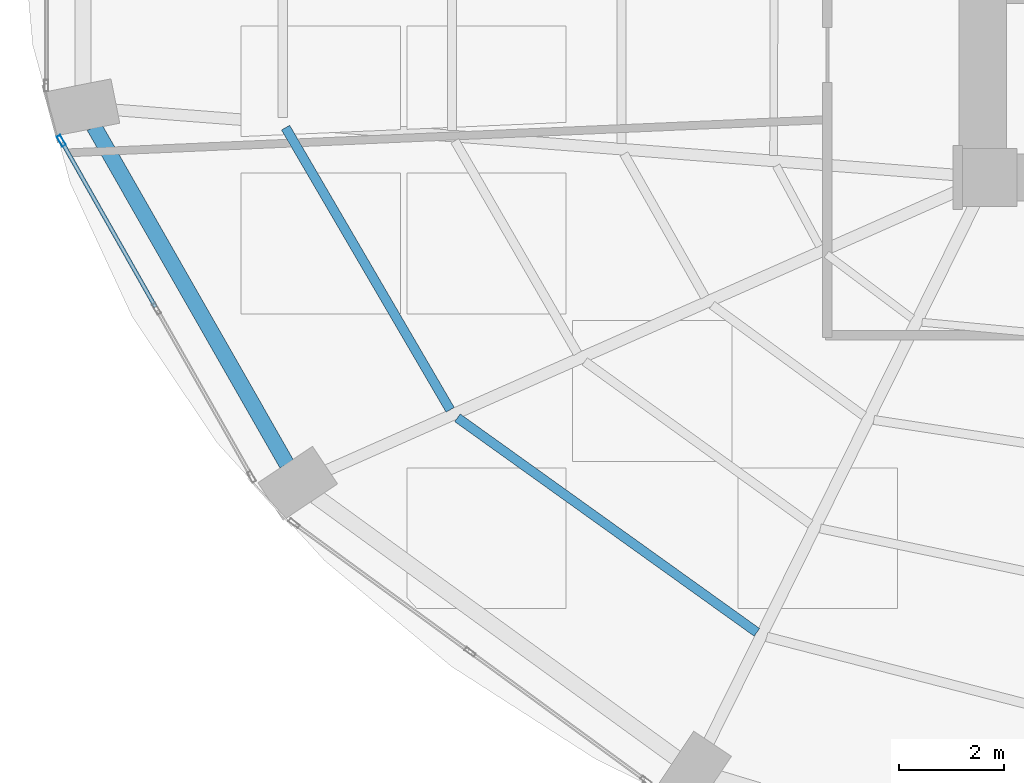
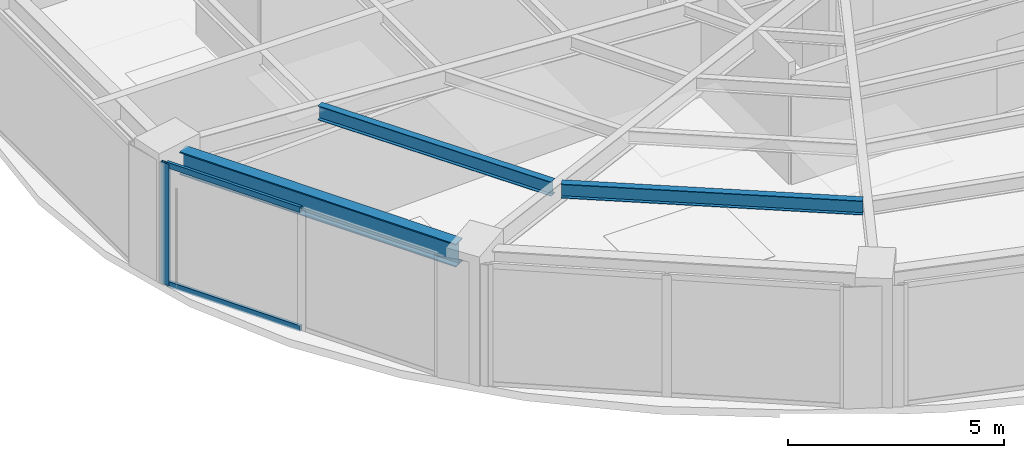
# One storey, part 3 of 25: 3 beams, 3 members, 1 element without a shape of its own.
"""IFC4 building model written with IfcOpenShell, lengths in metres."""

from ifc_helpers import new_model, si_unit, direction, frame, origin, origin_2d, place, context, subcontext, project, spatial, hollow_rectangle, i_section, extrude, material, layer, layer_set, material_profile, profile_set, type_object, element, aggregate, save


model = new_model("IFC4")

# Units and contexts
model_context = context("Model", 3, precision=1e-05, world=origin(), true_north=direction((0.0, 1.0)))
body_context = subcontext(model_context, "Body", "Model", "MODEL_VIEW")
ifc_project = project(units=[si_unit("LENGTHUNIT", "METRE"), si_unit("AREAUNIT", "SQUARE_METRE"), si_unit("VOLUMEUNIT", "CUBIC_METRE"), si_unit("PLANEANGLEUNIT", "RADIAN"), si_unit("MASSUNIT", "GRAM", prefix="KILO")], contexts=[model_context])

# Site, building, storey
site_placement = place(None, origin())
site = spatial("IfcSite", under=ifc_project, at=site_placement, CompositionType="ELEMENT")
building_placement = place(site_placement, origin())
building = spatial("IfcBuilding", under=site, at=building_placement, Name="Lazwardi Medical Tower", CompositionType="ELEMENT")
storey_placement = place(building_placement, frame((0.0, 0.0, 43.43994140625)))
storey = spatial("IfcBuildingStorey", under=building, at=storey_placement, Name="L10", CompositionType="ELEMENT", Elevation=43.43994140625)

# Beams
ifc_material_1 = material(Name="Steel S355", Category="steel")
ifc_material_profile_1 = material_profile(ifc_material_1, i_section(OverallWidth=0.300048828125, OverallDepth=0.64990234375, WebThickness=0.01611328125, FlangeThickness=0.031005859375, at=origin_2d()), Name="HEB 650")
ifc_profile_set_1 = profile_set([ifc_material_profile_1], Name="Steel S355")
beam_type_1 = type_object("IfcBeamType", Name="BM-RB-Z1", PredefinedType="BEAM", material=ifc_profile_set_1)
beam_1_placement = place(storey_placement, frame((9.408203125, 21.36767578125, 3.10302734375), z_axis=(0.49581512241, -0.868428099724, 0.0), x_axis=(0.868428099724, 0.49581512241, 0.0)))
element("IfcBeam", 1, at=beam_1_placement, inside=storey, type_object=beam_type_1, Name="Ring beam RB-02 B13 L10", PredefinedType="BEAM", context=body_context, shape_type="SweptSolid", body=[
    extrude(i_section(OverallWidth=0.300048828125, OverallDepth=0.64990234375, WebThickness=0.01611328125, FlangeThickness=0.031005859375, at=origin_2d()), origin(), (0.0, 0.0, 1.0), 7.389404296875),
])
ifc_material_profile_2 = material_profile(ifc_material_1, i_section(OverallWidth=0.179931640625, OverallDepth=0.39990234375, WebThickness=0.008544921875, FlangeThickness=0.013427734375, at=origin_2d()), Name="IPE 400")
ifc_profile_set_2 = profile_set([ifc_material_profile_2], Name="Steel S355")
beam_type_2 = type_object("IfcBeamType", Name="BM-SJ-01", PredefinedType="JOIST", material=ifc_profile_set_2)
beam_2_placement = place(storey_placement, frame((13.048828125, 21.34765625, 3.22802734375), z_axis=(0.503846579557, -0.863793160582, 0.0), x_axis=(0.863793160582, 0.503846579557, 0.0)))
element("IfcBeam", 2, at=beam_2_placement, inside=storey, type_object=beam_type_2, Name="Secondary joist SJ-01 R1 B13 L10", PredefinedType="JOIST", context=body_context, shape_type="SweptSolid", body=[
    extrude(i_section(OverallWidth=0.179931640625, OverallDepth=0.39990234375, WebThickness=0.008544921875, FlangeThickness=0.013427734375, at=origin_2d()), origin(), (0.0, 0.0, 1.0), 6.20947265625),
])
beam_3_placement = place(storey_placement, frame((16.31591796875, 15.83203125, 3.22802734375), z_axis=(0.812901036873, -0.582401840872, 0.0), x_axis=(0.582401840872, 0.812901036873, 0.0)))
element("IfcBeam", 3, at=beam_3_placement, inside=storey, type_object=beam_type_2, Name="Secondary joist SJ-01 R1 B14 L10", PredefinedType="JOIST", context=body_context, shape_type="SweptSolid", body=[
    extrude(i_section(OverallWidth=0.179931640625, OverallDepth=0.39990234375, WebThickness=0.008544921875, FlangeThickness=0.013427734375, at=origin_2d()), origin(), (0.0, 0.0, 1.0), 7.002197265625),
])

# Curtain wall, members
ifc_material_2 = material(Name="Anodised bronze aluminium and solar control glazing", Category="aluminium")
ifc_layer = layer(ifc_material_2, 0.199951171875)
ifc_layer_set = layer_set([ifc_layer], Name="Anodised bronze aluminium and solar control glazing")
curtain_wall_type = type_object("IfcCurtainWallType", Name="CW-SYS-02", PredefinedType="NOTDEFINED", material=ifc_layer_set)
curtain_wall_placement = place(storey_placement, origin())
curtain_wall = element("IfcCurtainWall", 4, at=curtain_wall_placement, inside=storey, type_object=curtain_wall_type, Name="L10 Unitised bronze curtain wall CW-02", PredefinedType="NOTDEFINED")
ifc_material_3 = material(Name="Anodised bronze aluminium", Category="aluminium")
ifc_material_profile_3 = material_profile(ifc_material_3, hollow_rectangle(XDim=0.074951171875, YDim=0.219970703125, WallThickness=0.00390625, at=origin_2d()), Name="ALU-MULLION 220x75x4")
ifc_profile_set_3 = profile_set([ifc_material_profile_3], Name="Anodised bronze aluminium")
member_type_1 = type_object("IfcMemberType", Name="CW-MUL-01", PredefinedType="MULLION", material=ifc_profile_set_3)
member_1_placement = place(storey_placement, frame((8.785888671875, 21.09765625, 0.0), z_axis=(0.0, 0.0, 1.0), x_axis=(0.870111838823, 0.492854327303, 0.0)))
member_1 = element("IfcMember", 5, at=member_1_placement, type_object=member_type_1, Name="CW-02 mullion 1", PredefinedType="MULLION", context=body_context, shape_type="SweptSolid", body=[
    extrude(hollow_rectangle(XDim=0.074951171875, YDim=0.219970703125, WallThickness=0.00390625, at=origin_2d()), origin(), (0.0, 0.0, 1.0), 3.427978515625),
])
ifc_material_profile_4 = material_profile(ifc_material_3, hollow_rectangle(XDim=0.074951171875, YDim=0.159912109375, WallThickness=0.00390625, at=origin_2d()), Name="ALU-TRANSOM 160x75x4")
ifc_profile_set_4 = profile_set([ifc_material_profile_4], Name="Anodised bronze aluminium")
member_type_2 = type_object("IfcMemberType", Name="CW-TRN-01", PredefinedType="USERDEFINED", material=ifc_profile_set_4)
member_2_placement = place(storey_placement, frame((8.804443359375, 21.06494140625, 0.03759765625), z_axis=(0.492880614687, -0.870096948429, 0.0), x_axis=(0.870096948429, 0.492880614687, 0.0)))
member_2 = element("IfcMember", 6, at=member_2_placement, type_object=member_type_2, Name="CW-02 transom 1.1", ObjectType="TRANSOM", PredefinedType="USERDEFINED", context=body_context, shape_type="SweptSolid", body=[
    extrude(hollow_rectangle(XDim=0.074951171875, YDim=0.159912109375, WallThickness=0.00390625, at=origin_2d()), origin(), (0.0, 0.0, 1.0), 3.5947265625),
])
member_3_placement = place(storey_placement, frame((8.804443359375, 21.06494140625, 3.390625), z_axis=(0.492880614687, -0.870096948429, 0.0), x_axis=(0.870096948429, 0.492880614687, 0.0)))
member_3 = element("IfcMember", 7, at=member_3_placement, type_object=member_type_2, Name="CW-02 transom 1.2", ObjectType="TRANSOM", PredefinedType="USERDEFINED", context=body_context, shape_type="SweptSolid", body=[
    extrude(hollow_rectangle(XDim=0.074951171875, YDim=0.159912109375, WallThickness=0.00390625, at=origin_2d()), origin(), (0.0, 0.0, 1.0), 3.5947265625),
])
aggregate(curtain_wall, [member_1, member_2, member_3])

save(model, "model.ifc")
